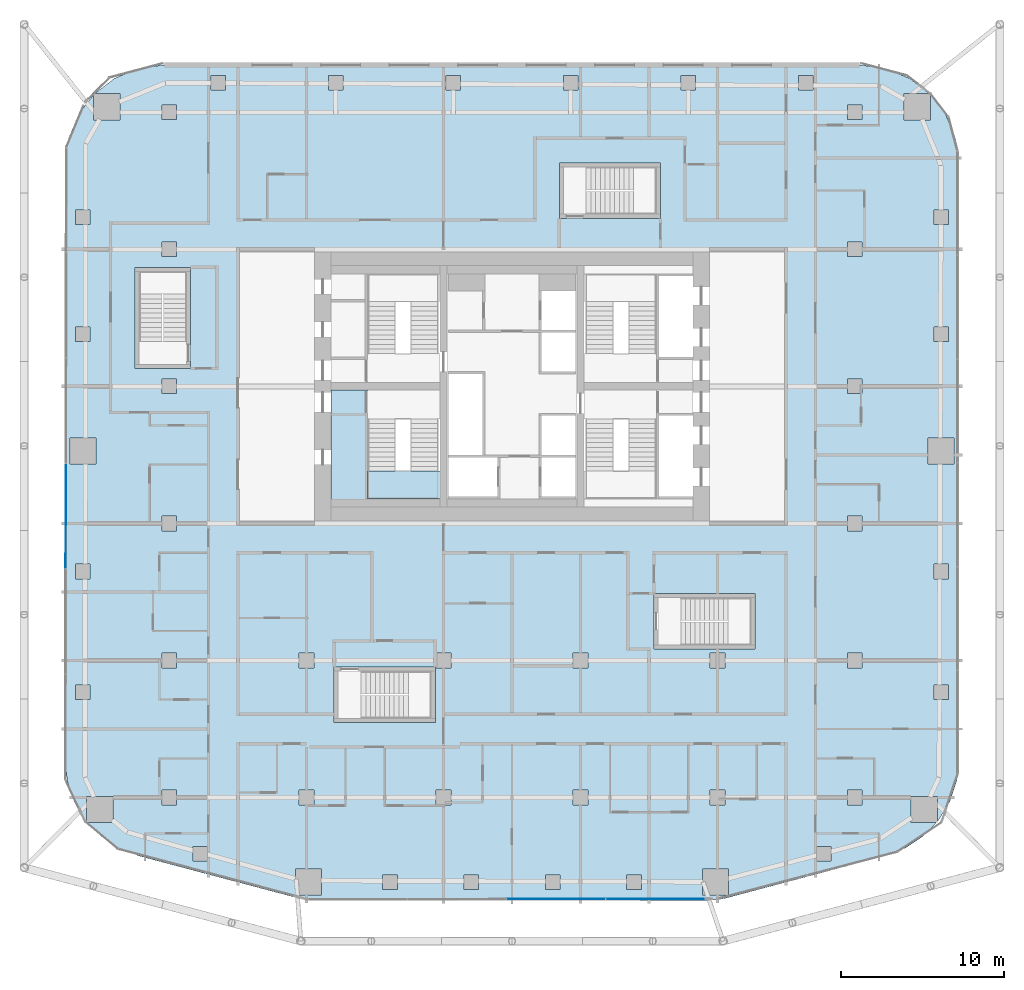
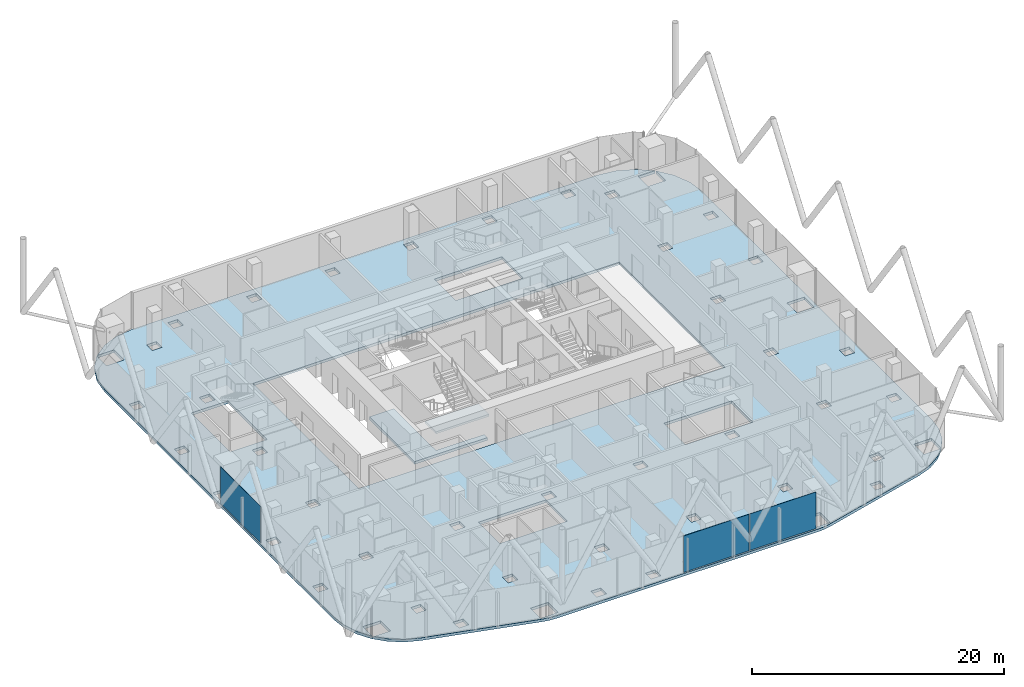
# One storey, part 19 of 33: 3 plates, 3 slabs, 3 elements without a shape of their own.
"""IFC4 building model written with IfcOpenShell, lengths in metres."""

from ifc_helpers import new_model, si_unit, direction, frame, origin, origin_2d, place, context, subcontext, project, spatial, polyline, rectangle, outline, extrude, material, layer, layer_set, type_object, element, aggregate, save


model = new_model("IFC4")

# Units and contexts
model_context = context("Model", 3, precision=1e-05, world=origin(), true_north=direction((0.0, 1.0)))
body_context = subcontext(model_context, "Body", "Model", "MODEL_VIEW")
ifc_project = project(units=[si_unit("LENGTHUNIT", "METRE"), si_unit("AREAUNIT", "SQUARE_METRE"), si_unit("VOLUMEUNIT", "CUBIC_METRE"), si_unit("PLANEANGLEUNIT", "RADIAN"), si_unit("MASSUNIT", "GRAM", prefix="KILO")], contexts=[model_context])

# Site, building, storey
site_placement = place(None, origin())
site = spatial("IfcSite", under=ifc_project, at=site_placement, CompositionType="ELEMENT")
building_placement = place(site_placement, origin())
building = spatial("IfcBuilding", under=site, at=building_placement, Name="Marenta Gate Hotel Tower", CompositionType="ELEMENT")
storey_placement = place(building_placement, frame((0.0, 0.0, 151.699951171875)))
storey = spatial("IfcBuildingStorey", under=building, at=storey_placement, Name="L35", CompositionType="ELEMENT", Elevation=151.699951171875)

# Slabs
ifc_material_1 = material(Name="Concrete C35", Category="concrete")
ifc_layer_1 = layer(ifc_material_1, 0.260009765625)
ifc_layer_set_1 = layer_set([ifc_layer_1], Name="Concrete C35")
slab_type_1 = type_object("IfcSlabType", Name="Concrete floor slab 260", PredefinedType="FLOOR", material=ifc_layer_set_1)
slab_1_placement = place(storey_placement, frame((0.0, 0.0, -0.260009765625)))
element("IfcSlab", 1, at=slab_1_placement, inside=storey, type_object=slab_type_1, Name="L35-SL-1", PredefinedType="FLOOR", context=body_context, shape_type="SweptSolid", body=[
    extrude(outline(polyline([(-25.213623046875, -19.1640625), (-26.011474609375, -18.3330078125), (-24.462890625, -18.3330078125), (-24.462890625, -16.73291015625), (-26.06298828125, -16.73291015625), (-26.06298828125, -18.279296875), (-26.13525390625, -18.2041015625), (-26.826904296875, -17.06689453125), (-27.25537109375, -15.80712890625), (-27.39990234375, -14.48974609375), (-27.39990234375, 22.006591796875), (-27.193115234375, 23.5791015625), (-26.58349609375, 25.050537109375), (-25.635498046875, 26.285888671875), (-25.635498046875, 24.735595703125), (-24.035400390625, 24.735595703125), (-24.035400390625, 26.33544921875), (-25.585693359375, 26.33544921875), (-24.350341796875, 27.283447265625), (-22.87890625, 27.89306640625), (-21.306640625, 28.10009765625), (21.306640625, 28.10009765625), (22.87890625, 27.89306640625), (24.350341796875, 27.283447265625), (25.585693359375, 26.33544921875), (24.035400390625, 26.33544921875), (24.035400390625, 24.735595703125), (25.635498046875, 24.735595703125), (25.635498046875, 26.285888671875), (26.58349609375, 25.050537109375), (27.193115234375, 23.5791015625), (27.39990234375, 22.006591796875), (27.39990234375, -14.48974609375), (27.25537109375, -15.80712890625), (26.826904296875, -17.06689453125), (26.13525390625, -18.2041015625), (26.06298828125, -18.279296875), (26.06298828125, -16.73291015625), (24.462890625, -16.73291015625), (24.462890625, -18.3330078125), (26.011474609375, -18.3330078125), (25.213623046875, -19.1640625), (24.105712890625, -19.9013671875), (22.86962890625, -20.37890625), (13.126708984375, -22.963623046875), (12.608642578125, -23.065673828125), (12.08154296875, -23.10009765625), (-12.08154296875, -23.10009765625), (-12.608642578125, -23.065673828125), (-13.126708984375, -22.963623046875), (-22.86962890625, -20.37890625), (-24.105712890625, -19.9013671875), (-25.213623046875, -19.1640625)]), holes=[polyline([(-16.800048828125, 0.0), (16.800048828125, 0.0), (16.800048828125, 16.800048828125), (-16.800048828125, 16.800048828125), (-16.800048828125, 0.0)]), polyline([(-18.65673828125, -19.7890625), (-19.556884765625, -19.7890625), (-19.556884765625, -20.689208984375), (-18.65673828125, -20.689208984375), (-18.65673828125, -19.7890625)]), polyline([(-20.550048828125, -17.25), (-20.550048828125, -16.35009765625), (-21.449951171875, -16.35009765625), (-21.449951171875, -17.25), (-20.550048828125, -17.25)]), polyline([(-12.14990234375, -16.35009765625), (-13.050048828125, -16.35009765625), (-13.050048828125, -17.25), (-12.14990234375, -17.25), (-12.14990234375, -16.35009765625)]), polyline([(-25.85009765625, -10.802001953125), (-25.85009765625, -9.90185546875), (-26.75, -9.90185546875), (-26.75, -10.802001953125), (-25.85009765625, -10.802001953125)]), polyline([(-20.550048828125, -8.85009765625), (-20.550048828125, -7.949951171875), (-21.449951171875, -7.949951171875), (-21.449951171875, -8.85009765625), (-20.550048828125, -8.85009765625)]), polyline([(-25.85009765625, -2.5009765625), (-26.75, -2.5009765625), (-26.75, -3.40087890625), (-25.85009765625, -3.40087890625), (-25.85009765625, -2.5009765625)]), polyline([(-20.550048828125, -0.449951171875), (-20.550048828125, 0.449951171875), (-21.449951171875, 0.449951171875), (-21.449951171875, -0.449951171875), (-20.550048828125, -0.449951171875)]), polyline([(-25.5, 3.64990234375), (-25.5, 5.25), (-27.10009765625, 5.25), (-27.10009765625, 3.64990234375), (-25.5, 3.64990234375)]), polyline([(-20.550048828125, 8.85009765625), (-21.449951171875, 8.85009765625), (-21.449951171875, 7.949951171875), (-20.550048828125, 7.949951171875), (-20.550048828125, 8.85009765625)]), polyline([(-25.85009765625, 11.1533203125), (-25.85009765625, 12.05322265625), (-26.75, 12.05322265625), (-26.75, 11.1533203125), (-25.85009765625, 11.1533203125)]), polyline([(-20.550048828125, 16.35009765625), (-20.550048828125, 17.25), (-21.449951171875, 17.25), (-21.449951171875, 16.35009765625), (-20.550048828125, 16.35009765625)]), polyline([(-25.85009765625, 19.206298828125), (-26.75, 19.206298828125), (-26.75, 18.306396484375), (-25.85009765625, 18.306396484375), (-25.85009765625, 19.206298828125)]), polyline([(-20.550048828125, 24.75), (-20.550048828125, 25.64990234375), (-21.449951171875, 25.64990234375), (-21.449951171875, 24.75), (-20.550048828125, 24.75)]), polyline([(-17.556884765625, 27.449951171875), (-18.456787109375, 27.449951171875), (-18.456787109375, 26.550048828125), (-17.556884765625, 26.550048828125), (-17.556884765625, 27.449951171875)]), polyline([(-7.030029296875, -22.449951171875), (-7.030029296875, -21.550048828125), (-7.93017578125, -21.550048828125), (-7.93017578125, -22.449951171875), (-7.030029296875, -22.449951171875)]), polyline([(-2.04345703125, -22.449951171875), (-2.04345703125, -21.550048828125), (-2.943359375, -21.550048828125), (-2.943359375, -22.449951171875), (-2.04345703125, -22.449951171875)]), polyline([(2.943359375, -21.550048828125), (2.04345703125, -21.550048828125), (2.04345703125, -22.449951171875), (2.943359375, -22.449951171875), (2.943359375, -21.550048828125)]), polyline([(7.93017578125, -22.449951171875), (7.93017578125, -21.550048828125), (7.030029296875, -21.550048828125), (7.030029296875, -22.449951171875), (7.93017578125, -22.449951171875)]), polyline([(-11.666259765625, -22.77490234375), (-11.666259765625, -21.1748046875), (-13.266357421875, -21.1748046875), (-13.266357421875, -22.77490234375), (-11.666259765625, -22.77490234375)]), polyline([(13.266357421875, -21.1748046875), (11.666259765625, -21.1748046875), (11.666259765625, -22.77490234375), (13.266357421875, -22.77490234375), (13.266357421875, -21.1748046875)]), polyline([(-3.75, -17.25), (-3.75, -16.35009765625), (-4.64990234375, -16.35009765625), (-4.64990234375, -17.25), (-3.75, -17.25)]), polyline([(4.64990234375, -17.25), (4.64990234375, -16.35009765625), (3.75, -16.35009765625), (3.75, -17.25), (4.64990234375, -17.25)]), polyline([(13.050048828125, -16.35009765625), (12.14990234375, -16.35009765625), (12.14990234375, -17.25), (13.050048828125, -17.25), (13.050048828125, -16.35009765625)]), polyline([(-12.14990234375, -8.85009765625), (-12.14990234375, -7.949951171875), (-13.050048828125, -7.949951171875), (-13.050048828125, -8.85009765625), (-12.14990234375, -8.85009765625)]), polyline([(-3.75, -8.85009765625), (-3.75, -7.949951171875), (-4.64990234375, -7.949951171875), (-4.64990234375, -8.85009765625), (-3.75, -8.85009765625)]), polyline([(4.64990234375, -7.949951171875), (3.75, -7.949951171875), (3.75, -8.85009765625), (4.64990234375, -8.85009765625), (4.64990234375, -7.949951171875)]), polyline([(-10.35400390625, 26.550048828125), (-10.35400390625, 27.449951171875), (-11.254150390625, 27.449951171875), (-11.254150390625, 26.550048828125), (-10.35400390625, 26.550048828125)]), polyline([(-3.1513671875, 26.550048828125), (-3.1513671875, 27.449951171875), (-4.051513671875, 27.449951171875), (-4.051513671875, 26.550048828125), (-3.1513671875, 26.550048828125)]), polyline([(4.051513671875, 27.449951171875), (3.1513671875, 27.449951171875), (3.1513671875, 26.550048828125), (4.051513671875, 26.550048828125), (4.051513671875, 27.449951171875)]), polyline([(11.254150390625, 26.550048828125), (11.254150390625, 27.449951171875), (10.35400390625, 27.449951171875), (10.35400390625, 26.550048828125), (11.254150390625, 26.550048828125)]), polyline([(19.556884765625, -20.689208984375), (19.556884765625, -19.7890625), (18.65673828125, -19.7890625), (18.65673828125, -20.689208984375), (19.556884765625, -20.689208984375)]), polyline([(21.449951171875, -17.25), (21.449951171875, -16.35009765625), (20.550048828125, -16.35009765625), (20.550048828125, -17.25), (21.449951171875, -17.25)]), polyline([(26.75, -10.802001953125), (26.75, -9.90185546875), (25.85009765625, -9.90185546875), (25.85009765625, -10.802001953125), (26.75, -10.802001953125)]), polyline([(13.050048828125, -7.949951171875), (12.14990234375, -7.949951171875), (12.14990234375, -8.85009765625), (13.050048828125, -8.85009765625), (13.050048828125, -7.949951171875)]), polyline([(21.449951171875, -8.85009765625), (21.449951171875, -7.949951171875), (20.550048828125, -7.949951171875), (20.550048828125, -8.85009765625), (21.449951171875, -8.85009765625)]), polyline([(26.75, -3.40087890625), (26.75, -2.5009765625), (25.85009765625, -2.5009765625), (25.85009765625, -3.40087890625), (26.75, -3.40087890625)]), polyline([(21.449951171875, 0.449951171875), (20.550048828125, 0.449951171875), (20.550048828125, -0.449951171875), (21.449951171875, -0.449951171875), (21.449951171875, 0.449951171875)]), polyline([(27.10009765625, 3.64990234375), (27.10009765625, 5.25), (25.5, 5.25), (25.5, 3.64990234375), (27.10009765625, 3.64990234375)]), polyline([(21.449951171875, 7.949951171875), (21.449951171875, 8.85009765625), (20.550048828125, 8.85009765625), (20.550048828125, 7.949951171875), (21.449951171875, 7.949951171875)]), polyline([(26.75, 12.05322265625), (25.85009765625, 12.05322265625), (25.85009765625, 11.1533203125), (26.75, 11.1533203125), (26.75, 12.05322265625)]), polyline([(21.449951171875, 16.35009765625), (21.449951171875, 17.25), (20.550048828125, 17.25), (20.550048828125, 16.35009765625), (21.449951171875, 16.35009765625)]), polyline([(26.75, 18.306396484375), (26.75, 19.206298828125), (25.85009765625, 19.206298828125), (25.85009765625, 18.306396484375), (26.75, 18.306396484375)]), polyline([(21.449951171875, 25.64990234375), (20.550048828125, 25.64990234375), (20.550048828125, 24.75), (21.449951171875, 24.75), (21.449951171875, 25.64990234375)]), polyline([(18.456787109375, 26.550048828125), (18.456787109375, 27.449951171875), (17.556884765625, 27.449951171875), (17.556884765625, 26.550048828125), (18.456787109375, 26.550048828125)]), polyline([(-10.89990234375, -12.199951171875), (-4.699951171875, -12.199951171875), (-4.699951171875, -8.800048828125), (-10.89990234375, -8.800048828125), (-10.89990234375, -12.199951171875)]), polyline([(8.699951171875, -7.699951171875), (14.89990234375, -7.699951171875), (14.89990234375, -4.300048828125), (8.699951171875, -4.300048828125), (8.699951171875, -7.699951171875)]), polyline([(-23.10009765625, 9.5), (-19.699951171875, 9.5), (-19.699951171875, 15.699951171875), (-23.10009765625, 15.699951171875), (-23.10009765625, 9.5)]), polyline([(2.89990234375, 18.699951171875), (9.10009765625, 18.699951171875), (9.10009765625, 22.10009765625), (2.89990234375, 22.10009765625), (2.89990234375, 18.699951171875)])]), origin(), (0.0, 0.0, 1.0), 0.260009765625),
])
ifc_material_2 = material(Name="Concrete C40", Category="concrete")
ifc_layer_2 = layer(ifc_material_2, 0.260009765625)
ifc_layer_set_2 = layer_set([ifc_layer_2], Name="Concrete C40")
slab_type_2 = type_object("IfcSlabType", Name="Core floor slab 260", PredefinedType="FLOOR", material=ifc_layer_set_2)
slab_2_placement = place(storey_placement, frame((0.0, 0.0, -0.260009765625)))
element("IfcSlab", 2, at=slab_2_placement, inside=storey, type_object=slab_type_2, Name="L35-CF-5", PredefinedType="FLOOR", context=body_context, shape_type="SweptSolid", body=[
    extrude(outline(polyline([(-8.85009765625, 8.175048828125), (-8.85009765625, 8.10009765625), (-8.85009765625, 6.39990234375), (-8.85009765625, 1.5), (-4.425048828125, 1.5), (-4.425048828125, 1.0), (-11.10009765625, 1.0), (-11.10009765625, 8.175048828125), (-8.85009765625, 8.175048828125)])), origin(), (0.0, 0.0, 1.0), 0.260009765625),
])

# Stair, slab
ifc_material_3 = material(Name="Concrete C40", Category="concrete")
stair_type = type_object("IfcStairType", Name="Core exit stair 1700 wide", PredefinedType="HALF_TURN_STAIR", material=ifc_material_3)
stair_placement = place(storey_placement, origin())
stair = element("IfcStair", 3, at=stair_placement, inside=storey, type_object=stair_type, Name="Exit stair 1", PredefinedType="HALF_TURN_STAIR")
ifc_material_4 = material(Name="Concrete C40", Category="concrete")
ifc_layer_3 = layer(ifc_material_4, 0.199951171875)
ifc_layer_set_3 = layer_set([ifc_layer_3], Name="Concrete C40")
slab_type_3 = type_object("IfcSlabType", Name="Core stair landing 200", PredefinedType="LANDING", material=ifc_layer_set_3)
slab_3_placement = place(storey_placement, frame((0.0, 0.0, 1.60009765625)))
slab_3 = element("IfcSlab", 4, at=slab_3_placement, type_object=slab_type_3, Name="SL-200 ST1 landing 1", PredefinedType="LANDING", context=body_context, shape_type="SweptSolid", body=[
    extrude(outline(polyline([(-8.85009765625, 1.5), (-3.97509765625, 1.5), (-3.97509765625, 3.2099609375), (-8.85009765625, 3.2099609375), (-8.85009765625, 1.5)])), origin(), (0.0, 0.0, 1.0), 0.199951171875),
])
aggregate(stair, [slab_3])

# Curtain wall, plate
ifc_material_5 = material(Name="Tinted insulated glass in bronze anodised frame", Category="glass")
ifc_layer_4 = layer(ifc_material_5, 0.1201171875)
ifc_layer_set_4 = layer_set([ifc_layer_4], Name="Tinted insulated glass in bronze anodised frame")
curtain_wall_type = type_object("IfcCurtainWallType", Name="Tower unitised curtain wall CW1", PredefinedType="NOTDEFINED", material=ifc_layer_set_4)
curtain_wall_1_placement = place(storey_placement, origin())
curtain_wall_1 = element("IfcCurtainWall", 5, at=curtain_wall_1_placement, inside=storey, type_object=curtain_wall_type, Name="CW1 run G04", PredefinedType="NOTDEFINED")
ifc_material_6 = material(Name="Tinted insulated glass", Category="glass")
ifc_layer_5 = layer(ifc_material_6, 0.028076171875)
ifc_layer_set_5 = layer_set([ifc_layer_5], Name="Tinted insulated glass")
plate_type = type_object("IfcPlateType", Name="Glass panel CW1 28 mm tinted insulated unit", PredefinedType="CURTAIN_PANEL", material=ifc_layer_set_5)
plate_1_placement = place(storey_placement, frame((-27.34765625, 0.456298828125, 0.06005859375), z_axis=(0.0, 0.0, 1.0), x_axis=(-0.001566045546, -0.99999877375, 0.0)))
plate_1 = element("IfcPlate", 6, at=plate_1_placement, type_object=plate_type, Name="CW1 panel 4.1", PredefinedType="CURTAIN_PANEL", context=body_context, shape_type="SweptSolid", body=[
    extrude(rectangle(XDim=6.39990234375, YDim=0.028076171875, at=origin_2d()), origin(), (0.0, 0.0, 1.0), 3.5400390625),
])
aggregate(curtain_wall_1, [plate_1])

# Curtain wall, plates
curtain_wall_2_placement = place(storey_placement, origin())
curtain_wall_2 = element("IfcCurtainWall", 7, at=curtain_wall_2_placement, inside=storey, type_object=curtain_wall_type, Name="CW1 run G12", PredefinedType="NOTDEFINED")
plate_2_placement = place(storey_placement, frame((2.69873046875, -23.02685546875, 0.06005859375), z_axis=(0.0, 0.0, 1.0), x_axis=(0.999999068791, 0.00136470383, 0.0)))
plate_2 = element("IfcPlate", 8, at=plate_2_placement, type_object=plate_type, Name="CW1 panel 3.1", PredefinedType="CURTAIN_PANEL", context=body_context, shape_type="SweptSolid", body=[
    extrude(rectangle(XDim=6.02197265625, YDim=0.028076171875, at=origin_2d()), origin(), (0.0, 0.0, 1.0), 3.5400390625),
])
plate_3_placement = place(storey_placement, frame((8.795654296875, -23.018310546875, 0.06005859375), z_axis=(0.0, 0.0, 1.0), x_axis=(0.999999068791, 0.00136470383, 0.0)))
plate_3 = element("IfcPlate", 9, at=plate_3_placement, type_object=plate_type, Name="CW1 panel 4.1", PredefinedType="CURTAIN_PANEL", context=body_context, shape_type="SweptSolid", body=[
    extrude(rectangle(XDim=6.052001953125, YDim=0.028076171875, at=origin_2d()), origin(), (0.0, 0.0, 1.0), 3.5400390625),
])
aggregate(curtain_wall_2, [plate_2, plate_3])

save(model, "model.ifc")
